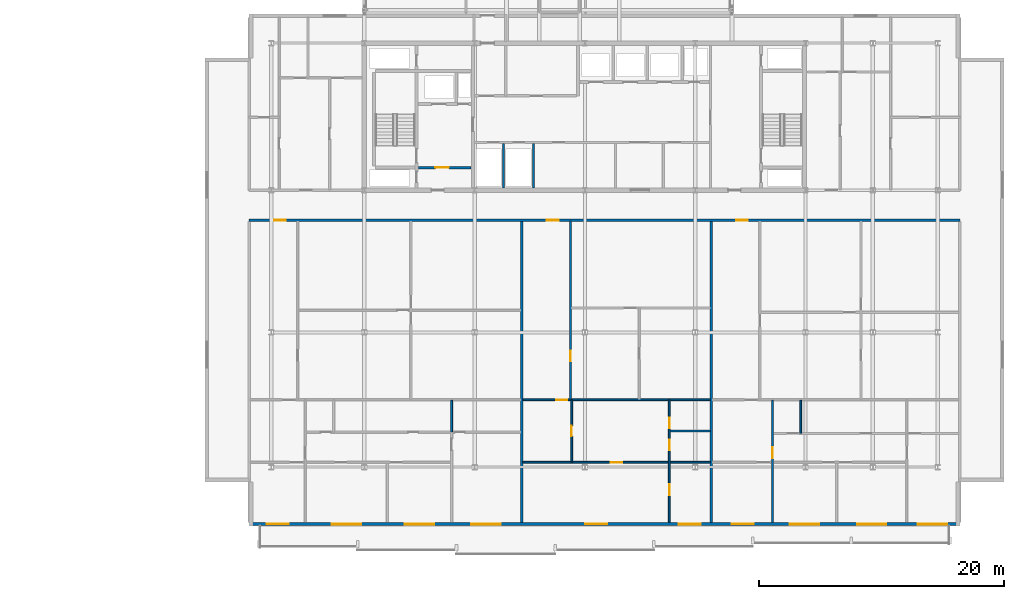
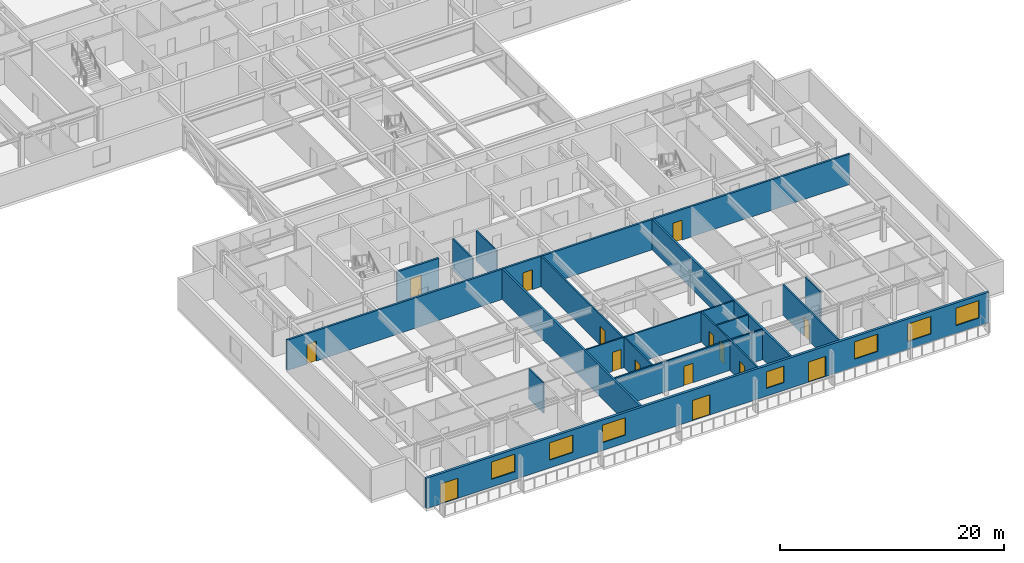
# One storey, part 18 of 36: 16 walls, 15 doors, 7 windows, 22 openings.
"""IFC4 building model written with IfcOpenShell, lengths in metres."""

from ifc_helpers import new_model, si_unit, direction, frame, frame_2d, origin, place, context, subcontext, project, spatial, rectangle, extrude, material, layer, layer_set, type_object, element, fill, save


model = new_model("IFC4")

# Units and contexts
model_context = context("Model", 3, precision=1e-05, world=origin(), true_north=direction((0.0, 1.0)))
body_context = subcontext(model_context, "Body", "Model", "MODEL_VIEW")
ifc_project = project(units=[si_unit("LENGTHUNIT", "METRE"), si_unit("AREAUNIT", "SQUARE_METRE"), si_unit("VOLUMEUNIT", "CUBIC_METRE"), si_unit("PLANEANGLEUNIT", "RADIAN"), si_unit("MASSUNIT", "GRAM", prefix="KILO")], contexts=[model_context])

# Site, building, storey
site_placement = place(None, origin())
site = spatial("IfcSite", under=ifc_project, at=site_placement, CompositionType="ELEMENT")
building_placement = place(site_placement, origin())
building = spatial("IfcBuilding", under=site, at=building_placement, Name="Korimba Cascade Residences", CompositionType="ELEMENT")
storey_placement = place(building_placement, frame((0.0, 0.0, 142.89990234375)))
storey = spatial("IfcBuildingStorey", under=building, at=storey_placement, Name="L41", CompositionType="ELEMENT", Elevation=142.89990234375)

# Wall, openings, doors, windows
ifc_material_1 = material(Name="Precast concrete C40/50", Category="concrete")
ifc_layer_1 = layer(ifc_material_1, 0.25)
ifc_layer_set_1 = layer_set([ifc_layer_1], Name="Precast concrete C40/50")
wall_type_1 = type_object("IfcWallType", Name="EW-LOG-250", PredefinedType="STANDARD", material=ifc_layer_set_1)
wall_1_placement = place(storey_placement, frame((72.699951171875, -8.85009765625, 0.0), z_axis=(0.0, 0.0, 1.0), x_axis=(1.0, 0.0, 0.0)))
wall_1 = element("IfcWall", 1, at=wall_1_placement, inside=storey, type_object=wall_type_1, Name="L41 T2 Perimeter Stone Wall E00", PredefinedType="STANDARD", context=body_context, shape_type="SweptSolid", body=[
    extrude(rectangle(XDim=58.0, YDim=0.25, at=frame_2d((29.0, 0.0))), origin(), (0.0, 0.0, 1.0), 3.31005859375),
])
opening_1_placement = place(wall_1_placement, frame((6.72998046875, 0.0, 0.85009765625)))
opening_1 = element("IfcOpeningElement", 2, at=opening_1_placement, cuts=wall_1, Name="Opening W-01", PredefinedType="OPENING", context=body_context, shape_type="SweptSolid", body=[
    extrude(rectangle(XDim=2.39990234375, YDim=1.89990234375, at=frame_2d((1.199951171875, 0.949951171875))), frame((0.0, 0.135009765625, 0.0), z_axis=(0.0, -1.0, 0.0), x_axis=(1.0, 0.0, 0.0)), (0.0, 0.0, 1.0), 0.27001953125),
])
opening_2_placement = place(wall_1_placement, frame((12.699951171875, 0.0, 0.85009765625)))
opening_2 = element("IfcOpeningElement", 3, at=opening_2_placement, cuts=wall_1, Name="Opening W-01", PredefinedType="OPENING", context=body_context, shape_type="SweptSolid", body=[
    extrude(rectangle(XDim=2.39990234375, YDim=1.89990234375, at=frame_2d((1.199951171875, 0.949951171875))), frame((0.0, 0.135009765625, 0.0), z_axis=(0.0, -1.0, 0.0), x_axis=(1.0, 0.0, 0.0)), (0.0, 0.0, 1.0), 0.27001953125),
])
opening_3_placement = place(wall_1_placement, frame((1.449951171875, 0.0, 0.0)))
opening_3 = element("IfcOpeningElement", 4, at=opening_3_placement, cuts=wall_1, Name="Opening D-LG1", PredefinedType="OPENING", context=body_context, shape_type="SweptSolid", body=[
    extrude(rectangle(XDim=1.800048828125, YDim=2.199951171875, at=frame_2d((0.89990234375, 1.10009765625))), frame((0.0, 0.135009765625, 0.0), z_axis=(0.0, -1.0, 0.0), x_axis=(1.0, 0.0, 0.0)), (0.0, 0.0, 1.0), 0.27001953125),
])
opening_4_placement = place(wall_1_placement, frame((18.125, 0.0, 0.85009765625)))
opening_4 = element("IfcOpeningElement", 5, at=opening_4_placement, cuts=wall_1, Name="Opening W-01", PredefinedType="OPENING", context=body_context, shape_type="SweptSolid", body=[
    extrude(rectangle(XDim=2.39990234375, YDim=1.89990234375, at=frame_2d((1.199951171875, 0.949951171875))), frame((0.0, 0.135009765625, 0.0), z_axis=(0.0, -1.0, 0.0), x_axis=(1.0, 0.0, 0.0)), (0.0, 0.0, 1.0), 0.27001953125),
])
opening_5_placement = place(wall_1_placement, frame((27.42919921875, 0.0, 0.0)))
opening_5 = element("IfcOpeningElement", 6, at=opening_5_placement, cuts=wall_1, Name="Opening D-LG1", PredefinedType="OPENING", context=body_context, shape_type="SweptSolid", body=[
    extrude(rectangle(XDim=1.800048828125, YDim=2.199951171875, at=frame_2d((0.89990234375, 1.10009765625))), frame((0.0, 0.135009765625, 0.0), z_axis=(0.0, -1.0, 0.0), x_axis=(1.0, 0.0, 0.0)), (0.0, 0.0, 1.0), 0.27001953125),
])
opening_6_placement = place(wall_1_placement, frame((35.038330078125, 0.0, 0.85009765625)))
opening_6 = element("IfcOpeningElement", 7, at=opening_6_placement, cuts=wall_1, Name="Opening W-02", PredefinedType="OPENING", context=body_context, shape_type="SweptSolid", body=[
    extrude(rectangle(XDim=1.800048828125, YDim=1.800048828125, at=frame_2d((0.89990234375, 0.89990234375))), frame((0.0, 0.135009765625, 0.0), z_axis=(0.0, -1.0, 0.0), x_axis=(1.0, 0.0, 0.0)), (0.0, 0.0, 1.0), 0.27001953125),
])
opening_7_placement = place(wall_1_placement, frame((44.123779296875, 0.0, 0.85009765625)))
opening_7 = element("IfcOpeningElement", 8, at=opening_7_placement, cuts=wall_1, Name="Opening W-01", PredefinedType="OPENING", context=body_context, shape_type="SweptSolid", body=[
    extrude(rectangle(XDim=2.39990234375, YDim=1.89990234375, at=frame_2d((1.199951171875, 0.949951171875))), frame((0.0, 0.135009765625, 0.0), z_axis=(0.0, -1.0, 0.0), x_axis=(1.0, 0.0, 0.0)), (0.0, 0.0, 1.0), 0.27001953125),
])
opening_8_placement = place(wall_1_placement, frame((49.6044921875, 0.0, 0.85009765625)))
opening_8 = element("IfcOpeningElement", 9, at=opening_8_placement, cuts=wall_1, Name="Opening W-01", PredefinedType="OPENING", context=body_context, shape_type="SweptSolid", body=[
    extrude(rectangle(XDim=2.39990234375, YDim=1.89990234375, at=frame_2d((1.199951171875, 0.949951171875))), frame((0.0, 0.135009765625, 0.0), z_axis=(0.0, -1.0, 0.0), x_axis=(1.0, 0.0, 0.0)), (0.0, 0.0, 1.0), 0.27001953125),
])
opening_9_placement = place(wall_1_placement, frame((39.368408203125, 0.0, 0.0)))
opening_9 = element("IfcOpeningElement", 10, at=opening_9_placement, cuts=wall_1, Name="Opening D-LG1", PredefinedType="OPENING", context=body_context, shape_type="SweptSolid", body=[
    extrude(rectangle(XDim=1.800048828125, YDim=2.199951171875, at=frame_2d((0.89990234375, 1.10009765625))), frame((0.0, 0.135009765625, 0.0), z_axis=(0.0, -1.0, 0.0), x_axis=(1.0, 0.0, 0.0)), (0.0, 0.0, 1.0), 0.27001953125),
])
opening_10_placement = place(wall_1_placement, frame((54.574951171875, 0.0, 0.85009765625)))
opening_10 = element("IfcOpeningElement", 11, at=opening_10_placement, cuts=wall_1, Name="Opening W-01", PredefinedType="OPENING", context=body_context, shape_type="SweptSolid", body=[
    extrude(rectangle(XDim=2.39990234375, YDim=1.89990234375, at=frame_2d((1.199951171875, 0.949951171875))), frame((0.0, 0.135009765625, 0.0), z_axis=(0.0, -1.0, 0.0), x_axis=(1.0, 0.0, 0.0)), (0.0, 0.0, 1.0), 0.27001953125),
])
ifc_material_2 = material(Name="Glazed Aluminium Loggia Sliding Door", Category="aluminium")
door_type_1 = type_object("IfcDoorType", Name="DR-EXT-LOG", OperationType="NOTDEFINED", PredefinedType="DOOR", material=ifc_material_2)
door_1_placement = place(opening_3_placement, origin())
door_1 = element("IfcDoor", 12, at=door_1_placement, inside=storey, type_object=door_type_1, Name="L41 T2 Loggia Sliding Door 5", OperationType="SLIDING_TO_RIGHT", OverallHeight=2.199951171875, OverallWidth=1.800048828125, PredefinedType="DOOR", context=body_context, shape_type="SweptSolid", body=[
    extrude(rectangle(XDim=1.800048828125, YDim=2.199951171875, at=frame_2d((0.89990234375, 1.10009765625))), frame((0.0, 0.02490234375, 0.0), z_axis=(0.0, -1.0, 0.0), x_axis=(1.0, 0.0, 0.0)), (0.0, 0.0, 1.0), 0.050048828125),
])
fill(opening_3, door_1)
door_2_placement = place(opening_5_placement, origin())
door_2 = element("IfcDoor", 13, at=door_2_placement, inside=storey, type_object=door_type_1, Name="L41 T2 Loggia Sliding Door 7", OperationType="SLIDING_TO_RIGHT", OverallHeight=2.199951171875, OverallWidth=1.800048828125, PredefinedType="DOOR", context=body_context, shape_type="SweptSolid", body=[
    extrude(rectangle(XDim=1.800048828125, YDim=2.199951171875, at=frame_2d((0.89990234375, 1.10009765625))), frame((0.0, 0.02490234375, 0.0), z_axis=(0.0, -1.0, 0.0), x_axis=(1.0, 0.0, 0.0)), (0.0, 0.0, 1.0), 0.050048828125),
])
fill(opening_5, door_2)
door_3_placement = place(opening_9_placement, origin())
door_3 = element("IfcDoor", 14, at=door_3_placement, inside=storey, type_object=door_type_1, Name="L41 T2 Loggia Sliding Door 11", OperationType="SLIDING_TO_RIGHT", OverallHeight=2.199951171875, OverallWidth=1.800048828125, PredefinedType="DOOR", context=body_context, shape_type="SweptSolid", body=[
    extrude(rectangle(XDim=1.800048828125, YDim=2.199951171875, at=frame_2d((0.89990234375, 1.10009765625))), frame((0.0, 0.02490234375, 0.0), z_axis=(0.0, -1.0, 0.0), x_axis=(1.0, 0.0, 0.0)), (0.0, 0.0, 1.0), 0.050048828125),
])
fill(opening_9, door_3)
ifc_material_3 = material(Name="Double-Glazed Aluminium Window", Category="aluminium")
window_type_1 = type_object("IfcWindowType", Name="WIN-BED-1800", PartitioningType="SINGLE_PANEL", PredefinedType="WINDOW", material=ifc_material_3)
window_1_placement = place(opening_6_placement, origin())
window_1 = element("IfcWindow", 15, at=window_1_placement, inside=storey, type_object=window_type_1, Name="L41 T2 South Facade Window 8", OverallHeight=1.800048828125, OverallWidth=1.800048828125, PartitioningType="SINGLE_PANEL", PredefinedType="WINDOW", context=body_context, shape_type="SweptSolid", body=[
    extrude(rectangle(XDim=1.800048828125, YDim=1.800048828125, at=frame_2d((0.89990234375, 0.89990234375))), frame((0.0, 0.030029296875, 0.0), z_axis=(0.0, -1.0, 0.0), x_axis=(1.0, 0.0, 0.0)), (0.0, 0.0, 1.0), 0.06005859375),
])
fill(opening_6, window_1)
window_type_2 = type_object("IfcWindowType", Name="WIN-RES-2400", PartitioningType="DOUBLE_PANEL_VERTICAL", PredefinedType="WINDOW", material=ifc_material_3)
window_2_placement = place(opening_1_placement, origin())
window_2 = element("IfcWindow", 16, at=window_2_placement, inside=storey, type_object=window_type_2, Name="L41 T2 South Facade Window 3", OverallHeight=1.89990234375, OverallWidth=2.39990234375, PartitioningType="DOUBLE_PANEL_VERTICAL", PredefinedType="WINDOW", context=body_context, shape_type="SweptSolid", body=[
    extrude(rectangle(XDim=2.39990234375, YDim=1.89990234375, at=frame_2d((1.199951171875, 0.949951171875))), frame((0.0, 0.030029296875, 0.0), z_axis=(0.0, -1.0, 0.0), x_axis=(1.0, 0.0, 0.0)), (0.0, 0.0, 1.0), 0.06005859375),
])
fill(opening_1, window_2)
window_3_placement = place(opening_2_placement, origin())
window_3 = element("IfcWindow", 17, at=window_3_placement, inside=storey, type_object=window_type_2, Name="L41 T2 South Facade Window 4", OverallHeight=1.89990234375, OverallWidth=2.39990234375, PartitioningType="DOUBLE_PANEL_VERTICAL", PredefinedType="WINDOW", context=body_context, shape_type="SweptSolid", body=[
    extrude(rectangle(XDim=2.39990234375, YDim=1.89990234375, at=frame_2d((1.199951171875, 0.949951171875))), frame((0.0, 0.030029296875, 0.0), z_axis=(0.0, -1.0, 0.0), x_axis=(1.0, 0.0, 0.0)), (0.0, 0.0, 1.0), 0.06005859375),
])
fill(opening_2, window_3)
window_4_placement = place(opening_4_placement, origin())
window_4 = element("IfcWindow", 18, at=window_4_placement, inside=storey, type_object=window_type_2, Name="L41 T2 South Facade Window 6", OverallHeight=1.89990234375, OverallWidth=2.39990234375, PartitioningType="DOUBLE_PANEL_VERTICAL", PredefinedType="WINDOW", context=body_context, shape_type="SweptSolid", body=[
    extrude(rectangle(XDim=2.39990234375, YDim=1.89990234375, at=frame_2d((1.199951171875, 0.949951171875))), frame((0.0, 0.030029296875, 0.0), z_axis=(0.0, -1.0, 0.0), x_axis=(1.0, 0.0, 0.0)), (0.0, 0.0, 1.0), 0.06005859375),
])
fill(opening_4, window_4)
window_5_placement = place(opening_7_placement, origin())
window_5 = element("IfcWindow", 19, at=window_5_placement, inside=storey, type_object=window_type_2, Name="L41 T2 South Facade Window 9", OverallHeight=1.89990234375, OverallWidth=2.39990234375, PartitioningType="DOUBLE_PANEL_VERTICAL", PredefinedType="WINDOW", context=body_context, shape_type="SweptSolid", body=[
    extrude(rectangle(XDim=2.39990234375, YDim=1.89990234375, at=frame_2d((1.199951171875, 0.949951171875))), frame((0.0, 0.030029296875, 0.0), z_axis=(0.0, -1.0, 0.0), x_axis=(1.0, 0.0, 0.0)), (0.0, 0.0, 1.0), 0.06005859375),
])
fill(opening_7, window_5)
window_6_placement = place(opening_8_placement, origin())
window_6 = element("IfcWindow", 20, at=window_6_placement, inside=storey, type_object=window_type_2, Name="L41 T2 South Facade Window 10", OverallHeight=1.89990234375, OverallWidth=2.39990234375, PartitioningType="DOUBLE_PANEL_VERTICAL", PredefinedType="WINDOW", context=body_context, shape_type="SweptSolid", body=[
    extrude(rectangle(XDim=2.39990234375, YDim=1.89990234375, at=frame_2d((1.199951171875, 0.949951171875))), frame((0.0, 0.030029296875, 0.0), z_axis=(0.0, -1.0, 0.0), x_axis=(1.0, 0.0, 0.0)), (0.0, 0.0, 1.0), 0.06005859375),
])
fill(opening_8, window_6)
window_7_placement = place(opening_10_placement, origin())
window_7 = element("IfcWindow", 21, at=window_7_placement, inside=storey, type_object=window_type_2, Name="L41 T2 South Facade Window 12", OverallHeight=1.89990234375, OverallWidth=2.39990234375, PartitioningType="DOUBLE_PANEL_VERTICAL", PredefinedType="WINDOW", context=body_context, shape_type="SweptSolid", body=[
    extrude(rectangle(XDim=2.39990234375, YDim=1.89990234375, at=frame_2d((1.199951171875, 0.949951171875))), frame((0.0, 0.030029296875, 0.0), z_axis=(0.0, -1.0, 0.0), x_axis=(1.0, 0.0, 0.0)), (0.0, 0.0, 1.0), 0.06005859375),
])
fill(opening_10, window_7)

# Walls
ifc_layer_2 = layer(ifc_material_1, 0.199951171875)
ifc_layer_set_2 = layer_set([ifc_layer_2], Name="Precast concrete C40/50")
wall_type_2 = type_object("IfcWallType", Name="WAL-IT-200", PredefinedType="PARTITIONING", material=ifc_layer_set_2)
for number, where, z_axis, x_axis, name in (
    (22, (94.949951171875, -8.699951171875, 0.0), (0.0, 0.0, 1.0), (0.0, 1.0, 0.0), "L41 Partition Wall WAL-L41-T2-DEM-1"),
    (23, (110.408203125, -8.699951171875, 0.0), (0.0, 0.0, 1.0), (0.0, 1.0, 0.0), "L41 Partition Wall WAL-L41-T2-DEM-2"),
):
    element("IfcWall", number, at=place(storey_placement, frame(where, z_axis=z_axis, x_axis=x_axis)), inside=storey, type_object=wall_type_2, Name=name, PredefinedType="PARTITIONING", context=body_context, shape_type="SweptSolid", body=[
        extrude(rectangle(XDim=24.570068359375, YDim=0.199951171875, at=frame_2d((12.28515625, 0.0))), origin(), (0.0, 0.0, 1.0), 3.31005859375),
    ])

# Wall, openings, doors
wall_2_placement = place(storey_placement, frame((72.699951171875, 15.949951171875, 0.0), z_axis=(0.0, 0.0, 1.0), x_axis=(1.0, 0.0, 0.0)))
wall_2 = element("IfcWall", 24, at=wall_2_placement, inside=storey, type_object=wall_type_2, Name="L41 Partition Wall WAL-L41-T2-CORS", PredefinedType="PARTITIONING", context=body_context, shape_type="SweptSolid", body=[
    extrude(rectangle(XDim=58.0, YDim=0.199951171875, at=frame_2d((29.0, 0.0))), origin(), (0.0, 0.0, 1.0), 3.31005859375),
])
opening_11_placement = place(wall_2_placement, frame((2.044921875, 0.0, 0.0)))
opening_11 = element("IfcOpeningElement", 25, at=opening_11_placement, cuts=wall_2, Name="Opening D-UN1", PredefinedType="OPENING", context=body_context, shape_type="SweptSolid", body=[
    extrude(rectangle(XDim=0.949951171875, YDim=2.14990234375, at=frame_2d((0.47509765625, 1.074951171875))), frame((0.0, 0.10986328125, 0.0), z_axis=(0.0, -1.0, 0.0), x_axis=(1.0, 0.0, 0.0)), (0.0, 0.0, 1.0), 0.219970703125),
])
opening_12_placement = place(wall_2_placement, frame((24.294921875, 0.0, 0.0)))
opening_12 = element("IfcOpeningElement", 26, at=opening_12_placement, cuts=wall_2, Name="Opening D-UN1", PredefinedType="OPENING", context=body_context, shape_type="SweptSolid", body=[
    extrude(rectangle(XDim=0.949951171875, YDim=2.14990234375, at=frame_2d((0.47509765625, 1.074951171875))), frame((0.0, 0.10986328125, 0.0), z_axis=(0.0, -1.0, 0.0), x_axis=(1.0, 0.0, 0.0)), (0.0, 0.0, 1.0), 0.219970703125),
])
opening_13_placement = place(wall_2_placement, frame((39.75341796875, 0.0, 0.0)))
opening_13 = element("IfcOpeningElement", 27, at=opening_13_placement, cuts=wall_2, Name="Opening D-UN1", PredefinedType="OPENING", context=body_context, shape_type="SweptSolid", body=[
    extrude(rectangle(XDim=0.949951171875, YDim=2.14990234375, at=frame_2d((0.47509765625, 1.074951171875))), frame((0.0, 0.10986328125, 0.0), z_axis=(0.0, -1.0, 0.0), x_axis=(1.0, 0.0, 0.0)), (0.0, 0.0, 1.0), 0.219970703125),
])
ifc_material_4 = material(Name="Fire-Rated Hardwood Apartment Entrance Door", Category="wood")
door_type_2 = type_object("IfcDoorType", Name="DR-FD60-950", OperationType="NOTDEFINED", PredefinedType="DOOR", material=ifc_material_4)
door_4_placement = place(opening_11_placement, origin())
door_4 = element("IfcDoor", 28, at=door_4_placement, inside=storey, type_object=door_type_2, Name="Unit L41-T2-U01 Entrance Door", OperationType="SINGLE_SWING_RIGHT", OverallHeight=2.14990234375, OverallWidth=0.949951171875, PredefinedType="DOOR", context=body_context, shape_type="SweptSolid", body=[
    extrude(rectangle(XDim=0.949951171875, YDim=2.14990234375, at=frame_2d((0.47509765625, 1.074951171875))), frame((0.0, 0.02490234375, 0.0), z_axis=(0.0, -1.0, 0.0), x_axis=(1.0, 0.0, 0.0)), (0.0, 0.0, 1.0), 0.050048828125),
])
fill(opening_11, door_4)
door_5_placement = place(opening_12_placement, origin())
door_5 = element("IfcDoor", 29, at=door_5_placement, inside=storey, type_object=door_type_2, Name="Unit L41-T2-U02 Entrance Door", OperationType="SINGLE_SWING_LEFT", OverallHeight=2.14990234375, OverallWidth=0.949951171875, PredefinedType="DOOR", context=body_context, shape_type="SweptSolid", body=[
    extrude(rectangle(XDim=0.949951171875, YDim=2.14990234375, at=frame_2d((0.47509765625, 1.074951171875))), frame((0.0, 0.02490234375, 0.0), z_axis=(0.0, -1.0, 0.0), x_axis=(1.0, 0.0, 0.0)), (0.0, 0.0, 1.0), 0.050048828125),
])
fill(opening_12, door_5)
door_6_placement = place(opening_13_placement, origin())
door_6 = element("IfcDoor", 30, at=door_6_placement, inside=storey, type_object=door_type_2, Name="Unit L41-T2-U03 Entrance Door", OperationType="SINGLE_SWING_RIGHT", OverallHeight=2.14990234375, OverallWidth=0.949951171875, PredefinedType="DOOR", context=body_context, shape_type="SweptSolid", body=[
    extrude(rectangle(XDim=0.949951171875, YDim=2.14990234375, at=frame_2d((0.47509765625, 1.074951171875))), frame((0.0, 0.02490234375, 0.0), z_axis=(0.0, -1.0, 0.0), x_axis=(1.0, 0.0, 0.0)), (0.0, 0.0, 1.0), 0.050048828125),
])
fill(opening_13, door_6)

# Walls
ifc_material_5 = material(Name="Insulated Acoustic Stud Partition", Category="gypsum")
ifc_layer_3 = layer(ifc_material_5, 0.14990234375)
ifc_layer_set_3 = layer_set([ifc_layer_3], Name="Insulated Acoustic Stud Partition")
wall_type_3 = type_object("IfcWallType", Name="WAL-PART-150", PredefinedType="PARTITIONING", material=ifc_layer_set_3)
for number, where, z_axis, x_axis, name in (
    (31, (93.449951171875, 18.60009765625, 0.0), (0.0, 0.0, 1.0), (0.0, 1.0, 0.0), "L41 Partition Wall CW-L41-T2-ERDIV"),
    (32, (95.89990234375, 18.60009765625, 0.0), (0.0, 0.0, 1.0), (0.0, 1.0, 0.0), "L41 Partition Wall CW-L41-T2-PRDIV"),
):
    element("IfcWall", number, at=place(storey_placement, frame(where, z_axis=z_axis, x_axis=x_axis)), inside=storey, type_object=wall_type_3, Name=name, PredefinedType="PARTITIONING", context=body_context, shape_type="SweptSolid", body=[
        extrude(rectangle(XDim=3.599853515625, YDim=0.14990234375, at=frame_2d((1.7998046875, 0.0))), origin(), (0.0, 0.0, 1.0), 3.31005859375),
    ])
wall_3_placement = place(storey_placement, frame((89.219970703125, -1.320068359375, 0.0), z_axis=(0.0, 0.0, 1.0), x_axis=(0.0, 1.0, 0.0)))
element("IfcWall", 33, at=wall_3_placement, inside=storey, type_object=wall_type_3, Name="L41 Partition Wall WAL-L41-T2-U01-VBATH", PredefinedType="PARTITIONING", context=body_context, shape_type="SweptSolid", body=[
    extrude(rectangle(XDim=2.580078125, YDim=0.14990234375, at=frame_2d((1.2900390625, 0.0))), origin(), (0.0, 0.0, 1.0), 3.31005859375),
])

# Wall, opening, door
wall_4_placement = place(storey_placement, frame((98.919921875, 1.340087890625, 0.0), z_axis=(0.0, 0.0, 1.0), x_axis=(0.0, 1.0, 0.0)))
wall_4 = element("IfcWall", 34, at=wall_4_placement, inside=storey, type_object=wall_type_3, Name="L41 Partition Wall WAL-L41-T2-U02-FV", PredefinedType="PARTITIONING", context=body_context, shape_type="SweptSolid", body=[
    extrude(rectangle(XDim=14.5498046875, YDim=0.14990234375, at=frame_2d((7.27490234375, 0.0))), origin(), (0.0, 0.0, 1.0), 3.31005859375),
])
opening_14_placement = place(wall_4_placement, frame((3.098388671875, 0.0, 0.0)))
opening_14 = element("IfcOpeningElement", 35, at=opening_14_placement, cuts=wall_4, Name="Opening D-IN2", PredefinedType="OPENING", context=body_context, shape_type="SweptSolid", body=[
    extrude(rectangle(XDim=0.8798828125, YDim=2.06005859375, at=frame_2d((0.43994140625, 1.030029296875))), frame((0.0, 0.0849609375, 0.0), z_axis=(0.0, -1.0, 0.0), x_axis=(1.0, 0.0, 0.0)), (0.0, 0.0, 1.0), 0.169921875),
])
ifc_material_6 = material(Name="Acoustic Timber Bedroom Door", Category="wood")
door_type_3 = type_object("IfcDoorType", Name="DR-INT-880", OperationType="NOTDEFINED", PredefinedType="DOOR", material=ifc_material_6)
door_7_placement = place(opening_14_placement, origin())
door_7 = element("IfcDoor", 36, at=door_7_placement, inside=storey, type_object=door_type_3, Name="L41-T2-U02 Media Lounge Door", OperationType="SINGLE_SWING_RIGHT", OverallHeight=2.06005859375, OverallWidth=0.8798828125, PredefinedType="DOOR", context=body_context, shape_type="SweptSolid", body=[
    extrude(rectangle(XDim=0.8798828125, YDim=2.06005859375, at=frame_2d((0.43994140625, 1.030029296875))), frame((0.0, 0.02490234375, 0.0), z_axis=(0.0, -1.0, 0.0), x_axis=(1.0, 0.0, 0.0)), (0.0, 0.0, 1.0), 0.050048828125),
])
fill(opening_14, door_7)

wall_5_placement = place(storey_placement, frame((99.02001953125, -3.739990234375, 0.0), z_axis=(0.0, 0.0, 1.0), x_axis=(0.0, 1.0, 0.0)))
wall_5 = element("IfcWall", 37, at=wall_5_placement, inside=storey, type_object=wall_type_3, Name="L41 Partition Wall WAL-L41-T2-U02-VDIN", PredefinedType="PARTITIONING", context=body_context, shape_type="SweptSolid", body=[
    extrude(rectangle(XDim=5.0, YDim=0.14990234375, at=frame_2d((2.5, 0.0))), origin(), (0.0, 0.0, 1.0), 3.31005859375),
])
opening_15_placement = place(wall_5_placement, frame((2.06005859375, 0.0, 0.0)))
opening_15 = element("IfcOpeningElement", 38, at=opening_15_placement, cuts=wall_5, Name="Opening D-IN2", PredefinedType="OPENING", context=body_context, shape_type="SweptSolid", body=[
    extrude(rectangle(XDim=0.8798828125, YDim=2.06005859375, at=frame_2d((0.43994140625, 1.030029296875))), frame((0.0, 0.0849609375, 0.0), z_axis=(0.0, -1.0, 0.0), x_axis=(1.0, 0.0, 0.0)), (0.0, 0.0, 1.0), 0.169921875),
])
door_8_placement = place(opening_15_placement, origin())
door_8 = element("IfcDoor", 39, at=door_8_placement, inside=storey, type_object=door_type_3, Name="L41-T2-U02 Dining Room Door", OperationType="SINGLE_SWING_LEFT", OverallHeight=2.06005859375, OverallWidth=0.8798828125, PredefinedType="DOOR", context=body_context, shape_type="SweptSolid", body=[
    extrude(rectangle(XDim=0.8798828125, YDim=2.06005859375, at=frame_2d((0.43994140625, 1.030029296875))), frame((0.0, 0.02490234375, 0.0), z_axis=(0.0, -1.0, 0.0), x_axis=(1.0, 0.0, 0.0)), (0.0, 0.0, 1.0), 0.050048828125),
])
fill(opening_15, door_8)

# Wall
wall_6_placement = place(storey_placement, frame((107.04833984375, -1.239990234375, 0.0), z_axis=(0.0, 0.0, 1.0), x_axis=(1.0, 0.0, 0.0)))
element("IfcWall", 40, at=wall_6_placement, inside=storey, type_object=wall_type_3, Name="L41 Partition Wall WAL-L41-T2-U02-BLDIV", PredefinedType="PARTITIONING", context=body_context, shape_type="SweptSolid", body=[
    extrude(rectangle(XDim=3.280029296875, YDim=0.14990234375, at=frame_2d((1.64013671875, 0.0))), origin(), (0.0, 0.0, 1.0), 3.31005859375),
])

# Wall, openings, doors
wall_7_placement = place(storey_placement, frame((106.98828125, -8.699951171875, 0.0), z_axis=(0.0, 0.0, 1.0), x_axis=(0.0, 1.0, 0.0)))
wall_7 = element("IfcWall", 41, at=wall_7_placement, inside=storey, type_object=wall_type_3, Name="L41 Partition Wall WAL-L41-T2-U02-V1", PredefinedType="PARTITIONING", context=body_context, shape_type="SweptSolid", body=[
    extrude(rectangle(XDim=9.9599609375, YDim=0.14990234375, at=frame_2d((4.97998046875, 0.0))), origin(), (0.0, 0.0, 1.0), 3.31005859375),
])
opening_16_placement = place(wall_7_placement, frame((5.894287109375, 0.0, 0.0)))
opening_16 = element("IfcOpeningElement", 42, at=opening_16_placement, cuts=wall_7, Name="Opening D-BT1", PredefinedType="OPENING", context=body_context, shape_type="SweptSolid", body=[
    extrude(rectangle(XDim=0.840087890625, YDim=2.0400390625, at=frame_2d((0.419921875, 1.02001953125))), frame((0.0, 0.0849609375, 0.0), z_axis=(0.0, -1.0, 0.0), x_axis=(1.0, 0.0, 0.0)), (0.0, 0.0, 1.0), 0.169921875),
])
opening_17_placement = place(wall_7_placement, frame((7.689697265625, 0.0, 0.0)))
opening_17 = element("IfcOpeningElement", 43, at=opening_17_placement, cuts=wall_7, Name="Opening D-BT1", PredefinedType="OPENING", context=body_context, shape_type="SweptSolid", body=[
    extrude(rectangle(XDim=0.840087890625, YDim=2.0400390625, at=frame_2d((0.419921875, 1.02001953125))), frame((0.0, 0.0849609375, 0.0), z_axis=(0.0, -1.0, 0.0), x_axis=(1.0, 0.0, 0.0)), (0.0, 0.0, 1.0), 0.169921875),
])
opening_18_placement = place(wall_7_placement, frame((2.222900390625, 0.0, 0.0)))
opening_18 = element("IfcOpeningElement", 44, at=opening_18_placement, cuts=wall_7, Name="Opening D-IN2", PredefinedType="OPENING", context=body_context, shape_type="SweptSolid", body=[
    extrude(rectangle(XDim=0.8798828125, YDim=2.06005859375, at=frame_2d((0.43994140625, 1.030029296875))), frame((0.0, 0.0849609375, 0.0), z_axis=(0.0, -1.0, 0.0), x_axis=(1.0, 0.0, 0.0)), (0.0, 0.0, 1.0), 0.169921875),
])
ifc_material_7 = material(Name="Moisture-Resistant Bathroom Timber Door", Category="wood")
door_type_4 = type_object("IfcDoorType", Name="DR-INT-850", OperationType="NOTDEFINED", PredefinedType="DOOR", material=ifc_material_7)
door_9_placement = place(opening_16_placement, origin())
door_9 = element("IfcDoor", 45, at=door_9_placement, inside=storey, type_object=door_type_4, Name="L41-T2-U02 Bathroom Door", OperationType="SINGLE_SWING_RIGHT", OverallHeight=2.0400390625, OverallWidth=0.840087890625, PredefinedType="DOOR", context=body_context, shape_type="SweptSolid", body=[
    extrude(rectangle(XDim=0.840087890625, YDim=2.0400390625, at=frame_2d((0.419921875, 1.02001953125))), frame((0.0, 0.02490234375, 0.0), z_axis=(0.0, -1.0, 0.0), x_axis=(1.0, 0.0, 0.0)), (0.0, 0.0, 1.0), 0.050048828125),
])
fill(opening_16, door_9)
door_10_placement = place(opening_17_placement, origin())
door_10 = element("IfcDoor", 46, at=door_10_placement, inside=storey, type_object=door_type_4, Name="L41-T2-U02 Laundry Door", OperationType="SINGLE_SWING_LEFT", OverallHeight=2.0400390625, OverallWidth=0.840087890625, PredefinedType="DOOR", context=body_context, shape_type="SweptSolid", body=[
    extrude(rectangle(XDim=0.840087890625, YDim=2.0400390625, at=frame_2d((0.419921875, 1.02001953125))), frame((0.0, 0.02490234375, 0.0), z_axis=(0.0, -1.0, 0.0), x_axis=(1.0, 0.0, 0.0)), (0.0, 0.0, 1.0), 0.050048828125),
])
fill(opening_17, door_10)
door_11_placement = place(opening_18_placement, origin())
door_11 = element("IfcDoor", 47, at=door_11_placement, inside=storey, type_object=door_type_3, Name="L41-T2-U02 Bedroom 1 Door", OperationType="SINGLE_SWING_RIGHT", OverallHeight=2.06005859375, OverallWidth=0.8798828125, PredefinedType="DOOR", context=body_context, shape_type="SweptSolid", body=[
    extrude(rectangle(XDim=0.8798828125, YDim=2.06005859375, at=frame_2d((0.43994140625, 1.030029296875))), frame((0.0, 0.02490234375, 0.0), z_axis=(0.0, -1.0, 0.0), x_axis=(1.0, 0.0, 0.0)), (0.0, 0.0, 1.0), 0.050048828125),
])
fill(opening_18, door_11)

# Wall, opening, door
wall_8_placement = place(storey_placement, frame((95.030029296875, 1.300048828125, 0.0), z_axis=(0.0, 0.0, 1.0), x_axis=(1.0, 0.0, 0.0)))
wall_8 = element("IfcWall", 48, at=wall_8_placement, inside=storey, type_object=wall_type_3, Name="L41 Partition Wall WAL-L41-T2-U02-MW", PredefinedType="PARTITIONING", context=body_context, shape_type="SweptSolid", body=[
    extrude(rectangle(XDim=15.29833984375, YDim=0.14990234375, at=frame_2d((7.649169921875, 0.0))), origin(), (0.0, 0.0, 1.0), 3.31005859375),
])
opening_19_placement = place(wall_8_placement, frame((2.719970703125, 0.0, 0.0)))
opening_19 = element("IfcOpeningElement", 49, at=opening_19_placement, cuts=wall_8, Name="Opening D-IN1", PredefinedType="OPENING", context=body_context, shape_type="SweptSolid", body=[
    extrude(rectangle(XDim=0.919921875, YDim=2.080078125, at=frame_2d((0.4599609375, 1.0400390625))), frame((0.0, 0.0849609375, 0.0), z_axis=(0.0, -1.0, 0.0), x_axis=(1.0, 0.0, 0.0)), (0.0, 0.0, 1.0), 0.169921875),
])
ifc_material_8 = material(Name="Acoustic Timber Living Door", Category="wood")
door_type_5 = type_object("IfcDoorType", Name="DR-INT-920", OperationType="NOTDEFINED", PredefinedType="DOOR", material=ifc_material_8)
door_12_placement = place(opening_19_placement, origin())
door_12 = element("IfcDoor", 50, at=door_12_placement, inside=storey, type_object=door_type_5, Name="L41-T2-U02 Kitchen Archway Door", OperationType="SINGLE_SWING_LEFT", OverallHeight=2.080078125, OverallWidth=0.919921875, PredefinedType="DOOR", context=body_context, shape_type="SweptSolid", body=[
    extrude(rectangle(XDim=0.919921875, YDim=2.080078125, at=frame_2d((0.4599609375, 1.0400390625))), frame((0.0, 0.02490234375, 0.0), z_axis=(0.0, -1.0, 0.0), x_axis=(1.0, 0.0, 0.0)), (0.0, 0.0, 1.0), 0.050048828125),
])
fill(opening_19, door_12)

wall_9_placement = place(storey_placement, frame((95.030029296875, -3.800048828125, 0.0), z_axis=(0.0, 0.0, 1.0), x_axis=(1.0, 0.0, 0.0)))
wall_9 = element("IfcWall", 51, at=wall_9_placement, inside=storey, type_object=wall_type_3, Name="L41 Partition Wall WAL-L41-T2-U02-HZ", PredefinedType="PARTITIONING", context=body_context, shape_type="SweptSolid", body=[
    extrude(rectangle(XDim=15.29833984375, YDim=0.14990234375, at=frame_2d((7.649169921875, 0.0))), origin(), (0.0, 0.0, 1.0), 3.31005859375),
])
opening_20_placement = place(wall_9_placement, frame((7.17919921875, 0.0, 0.0)))
opening_20 = element("IfcOpeningElement", 52, at=opening_20_placement, cuts=wall_9, Name="Opening D-IN0", PredefinedType="OPENING", context=body_context, shape_type="SweptSolid", body=[
    extrude(rectangle(XDim=0.93994140625, YDim=2.10009765625, at=frame_2d((0.469970703125, 1.050048828125))), frame((0.0, 0.0849609375, 0.0), z_axis=(0.0, -1.0, 0.0), x_axis=(1.0, 0.0, 0.0)), (0.0, 0.0, 1.0), 0.169921875),
])
ifc_material_9 = material(Name="Acoustic Timber Living Archway Door", Category="wood")
door_type_6 = type_object("IfcDoorType", Name="DR-INT-950", OperationType="NOTDEFINED", PredefinedType="DOOR", material=ifc_material_9)
door_13_placement = place(opening_20_placement, origin())
door_13 = element("IfcDoor", 53, at=door_13_placement, inside=storey, type_object=door_type_6, Name="L41-T2-U02 Living Archway Door", OperationType="SINGLE_SWING_RIGHT", OverallHeight=2.10009765625, OverallWidth=0.93994140625, PredefinedType="DOOR", context=body_context, shape_type="SweptSolid", body=[
    extrude(rectangle(XDim=0.93994140625, YDim=2.10009765625, at=frame_2d((0.469970703125, 1.050048828125))), frame((0.0, 0.02490234375, 0.0), z_axis=(0.0, -1.0, 0.0), x_axis=(1.0, 0.0, 0.0)), (0.0, 0.0, 1.0), 0.050048828125),
])
fill(opening_20, door_13)

# Wall
wall_10_placement = place(storey_placement, frame((117.71826171875, -1.429931640625, 0.0), z_axis=(0.0, 0.0, 1.0), x_axis=(0.0, 1.0, 0.0)))
element("IfcWall", 54, at=wall_10_placement, inside=storey, type_object=wall_type_3, Name="L41 Partition Wall WAL-L41-T2-U03-VDRS", PredefinedType="PARTITIONING", context=body_context, shape_type="SweptSolid", body=[
    extrude(rectangle(XDim=2.68994140625, YDim=0.14990234375, at=frame_2d((1.344970703125, 0.0))), origin(), (0.0, 0.0, 1.0), 3.31005859375),
])

# Wall, opening, door
wall_11_placement = place(storey_placement, frame((115.408203125, -8.699951171875, 0.0), z_axis=(0.0, 0.0, 1.0), x_axis=(0.0, 1.0, 0.0)))
wall_11 = element("IfcWall", 55, at=wall_11_placement, inside=storey, type_object=wall_type_3, Name="L41 Partition Wall WAL-L41-T2-U03-V1", PredefinedType="PARTITIONING", context=body_context, shape_type="SweptSolid", body=[
    extrude(rectangle(XDim=9.9599609375, YDim=0.14990234375, at=frame_2d((4.97998046875, 0.0))), origin(), (0.0, 0.0, 1.0), 3.31005859375),
])
opening_21_placement = place(wall_11_placement, frame((5.219970703125, 0.0, 0.0)))
opening_21 = element("IfcOpeningElement", 56, at=opening_21_placement, cuts=wall_11, Name="Opening D-IN1", PredefinedType="OPENING", context=body_context, shape_type="SweptSolid", body=[
    extrude(rectangle(XDim=0.919921875, YDim=2.080078125, at=frame_2d((0.4599609375, 1.0400390625))), frame((0.0, 0.0849609375, 0.0), z_axis=(0.0, -1.0, 0.0), x_axis=(1.0, 0.0, 0.0)), (0.0, 0.0, 1.0), 0.169921875),
])
door_14_placement = place(opening_21_placement, origin())
door_14 = element("IfcDoor", 57, at=door_14_placement, inside=storey, type_object=door_type_5, Name="L41-T2-U03 Hallway Door", OperationType="SINGLE_SWING_LEFT", OverallHeight=2.080078125, OverallWidth=0.919921875, PredefinedType="DOOR", context=body_context, shape_type="SweptSolid", body=[
    extrude(rectangle(XDim=0.919921875, YDim=2.080078125, at=frame_2d((0.4599609375, 1.0400390625))), frame((0.0, 0.02490234375, 0.0), z_axis=(0.0, -1.0, 0.0), x_axis=(1.0, 0.0, 0.0)), (0.0, 0.0, 1.0), 0.050048828125),
])
fill(opening_21, door_14)

ifc_material_10 = material(Name="Concrete C40/50", Category="concrete")
ifc_layer_4 = layer(ifc_material_10, 0.199951171875)
ifc_layer_set_4 = layer_set([ifc_layer_4], Name="Concrete C40/50")
wall_type_4 = type_object("IfcWallType", Name="WAL-PART-200", PredefinedType="PARTITIONING", material=ifc_layer_set_4)
wall_12_placement = place(storey_placement, frame((86.5, 20.25, 0.0), z_axis=(0.0, 0.0, 1.0), x_axis=(1.0, 0.0, 0.0)))
wall_12 = element("IfcWall", 58, at=wall_12_placement, inside=storey, type_object=wall_type_4, Name="L41 Partition Wall CW-L41-T2-FFLS", PredefinedType="PARTITIONING", context=body_context, shape_type="SweptSolid", body=[
    extrude(rectangle(XDim=4.320068359375, YDim=0.199951171875, at=frame_2d((2.16015625, 0.0))), origin(), (0.0, 0.0, 1.0), 3.31005859375),
])
opening_22_placement = place(wall_12_placement, frame((1.39990234375, 0.0, 0.0)))
opening_22 = element("IfcOpeningElement", 59, at=opening_22_placement, cuts=wall_12, Name="Opening D-FD1", PredefinedType="OPENING", context=body_context, shape_type="SweptSolid", body=[
    extrude(rectangle(XDim=1.10009765625, YDim=2.10009765625, at=frame_2d((0.550048828125, 1.050048828125))), frame((0.0, 0.10986328125, 0.0), z_axis=(0.0, -1.0, 0.0), x_axis=(1.0, 0.0, 0.0)), (0.0, 0.0, 1.0), 0.219970703125),
])
ifc_material_11 = material(Name="Fire-Rated Steel Core Door", Category="steel")
door_type_7 = type_object("IfcDoorType", Name="DR-FD120-1100", OperationType="NOTDEFINED", PredefinedType="DOOR", material=ifc_material_11)
door_15_placement = place(opening_22_placement, origin())
door_15 = element("IfcDoor", 60, at=door_15_placement, inside=storey, type_object=door_type_7, Name="L41 T2 Firefighting Lobby Door", OperationType="SINGLE_SWING_RIGHT", OverallHeight=2.10009765625, OverallWidth=1.10009765625, PredefinedType="DOOR", context=body_context, shape_type="SweptSolid", body=[
    extrude(rectangle(XDim=1.10009765625, YDim=2.10009765625, at=frame_2d((0.550048828125, 1.050048828125))), frame((0.0, 0.02490234375, 0.0), z_axis=(0.0, -1.0, 0.0), x_axis=(1.0, 0.0, 0.0)), (0.0, 0.0, 1.0), 0.050048828125),
])
fill(opening_22, door_15)

save(model, "model.ifc")
